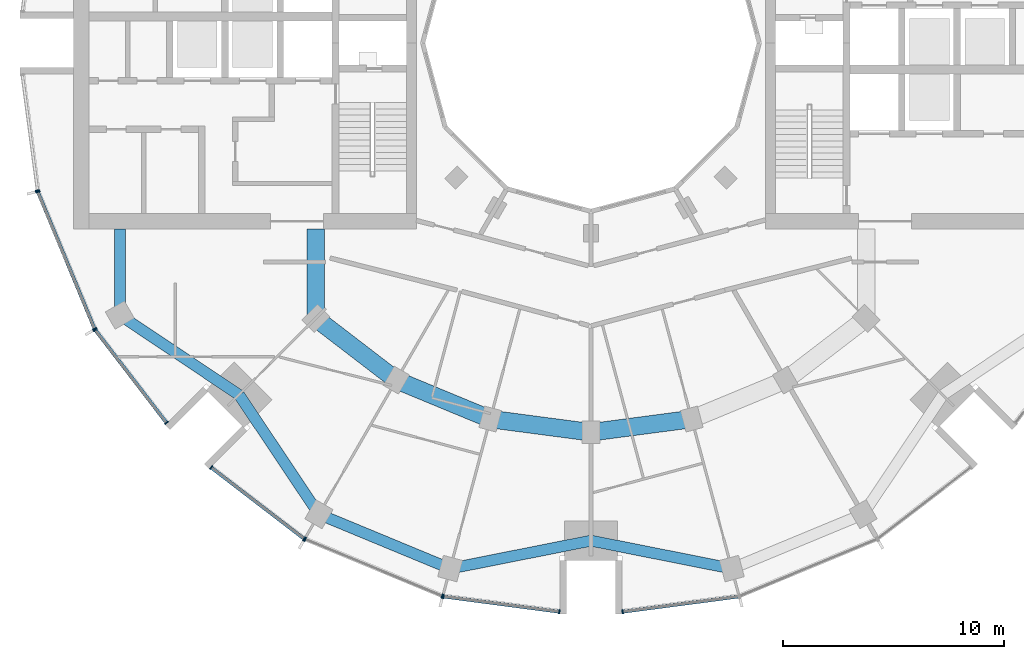
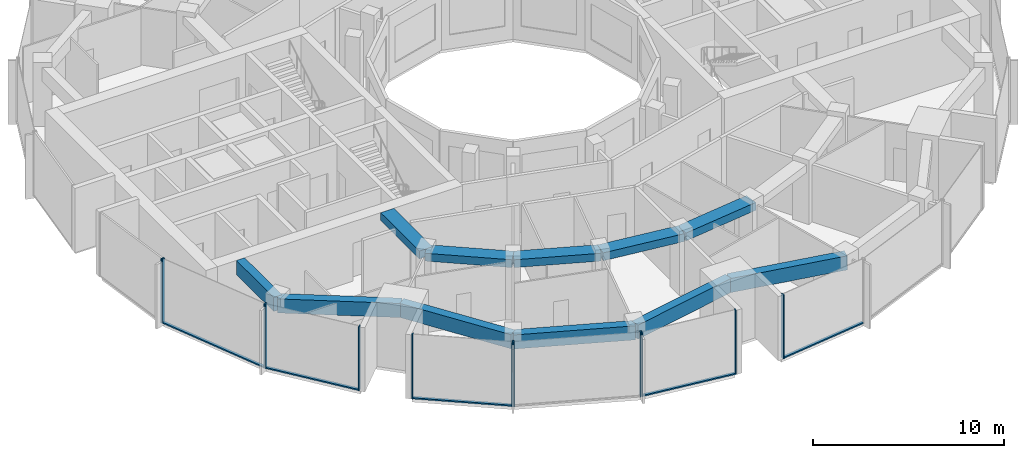
# One storey, part 2 of 15: 17 members, 11 beams, 7 elements without a shape of their own.
"""IFC4 building model written with IfcOpenShell, lengths in metres."""

from ifc_helpers import new_model, si_unit, direction, frame, origin, origin_2d, place, context, subcontext, project, spatial, rectangle, extrude, material, layer, layer_set, material_profile, profile_set, type_object, element, aggregate, save


model = new_model("IFC4")

# Units and contexts
model_context = context("Model", 3, precision=1e-05, world=origin(), true_north=direction((0.0, 1.0)))
body_context = subcontext(model_context, "Body", "Model", "MODEL_VIEW")
ifc_project = project(units=[si_unit("LENGTHUNIT", "METRE"), si_unit("AREAUNIT", "SQUARE_METRE"), si_unit("VOLUMEUNIT", "CUBIC_METRE"), si_unit("PLANEANGLEUNIT", "RADIAN"), si_unit("MASSUNIT", "GRAM", prefix="KILO")], contexts=[model_context])

# Site, building, storey
site_placement = place(None, origin())
site = spatial("IfcSite", under=ifc_project, at=site_placement, CompositionType="ELEMENT")
building_placement = place(site_placement, origin())
building = spatial("IfcBuilding", under=site, at=building_placement, Name="Torre Brocal", CompositionType="ELEMENT")
storey_placement = place(building_placement, frame((0.0, 0.0, 157.699951171875)))
storey = spatial("IfcBuildingStorey", under=building, at=storey_placement, Name="L36", CompositionType="ELEMENT", Elevation=157.699951171875)

# Curtain wall, members
ifc_material_1 = material(Name="Aluminium and glass", Category="aluminium")
ifc_layer_1 = layer(ifc_material_1, 0.199951171875)
ifc_layer_set_1 = layer_set([ifc_layer_1], Name="Aluminium and glass")
curtain_wall_type_1 = type_object("IfcCurtainWallType", Name="CW-1 CURTAIN WALL 4100 HIGH", PredefinedType="NOTDEFINED", material=ifc_layer_set_1)
curtain_wall_1_placement = place(storey_placement, origin())
curtain_wall_1 = element("IfcCurtainWall", 1, at=curtain_wall_1_placement, inside=storey, type_object=curtain_wall_type_1, Name="CW-1 RUN 14", PredefinedType="NOTDEFINED")
ifc_material_2 = material(Name="Aluminium, dark anodised", Category="aluminium")
ifc_material_profile_1 = material_profile(ifc_material_2, rectangle(XDim=0.199951171875, YDim=0.06005859375, at=origin_2d()), Name="CW-1 MULLION 60X200")
ifc_profile_set_1 = profile_set([ifc_material_profile_1], Name="Aluminium, dark anodised")
member_type_1 = type_object("IfcMemberType", Name="CW-1 MULLION 60X200", PredefinedType="MULLION", material=ifc_profile_set_1)
member_1_placement = place(storey_placement, frame((54.994873046875, 68.26904296875, 0.0), z_axis=(0.0, 0.0, 1.0), x_axis=(0.923879532525, 0.382683432333, 0.0)))
member_1 = element("IfcMember", 2, at=member_1_placement, type_object=member_type_1, Name="CW1-4 mullion 1", PredefinedType="MULLION", context=body_context, shape_type="SweptSolid", body=[
    extrude(rectangle(XDim=0.199951171875, YDim=0.06005859375, at=origin_2d()), origin(), (0.0, 0.0, 1.0), 4.10009765625),
])
member_2_placement = place(storey_placement, frame((57.559326171875, 62.078125, 0.0), z_axis=(0.0, 0.0, 1.0), x_axis=(0.923879532525, 0.382683432333, 0.0)))
member_2 = element("IfcMember", 3, at=member_2_placement, type_object=member_type_1, Name="CW1-4 mullion 2", PredefinedType="MULLION", context=body_context, shape_type="SweptSolid", body=[
    extrude(rectangle(XDim=0.199951171875, YDim=0.06005859375, at=origin_2d()), origin(), (0.0, 0.0, 1.0), 4.10009765625),
])

curtain_wall_2_placement = place(storey_placement, origin())
curtain_wall_2 = element("IfcCurtainWall", 4, at=curtain_wall_2_placement, inside=storey, type_object=curtain_wall_type_1, Name="CW-1 RUN 15", PredefinedType="NOTDEFINED")
member_3_placement = place(storey_placement, frame((57.5888671875, 62.026611328125, 0.0), z_axis=(0.0, 0.0, 1.0), x_axis=(0.793353340259, 0.60876142905, 0.0)))
member_3 = element("IfcMember", 5, at=member_3_placement, type_object=member_type_1, Name="CW1-4 mullion 1", PredefinedType="MULLION", context=body_context, shape_type="SweptSolid", body=[
    extrude(rectangle(XDim=0.199951171875, YDim=0.06005859375, at=origin_2d()), origin(), (0.0, 0.0, 1.0), 4.10009765625),
])
member_4_placement = place(storey_placement, frame((60.80859375, 57.83056640625, 0.0), z_axis=(0.0, 0.0, 1.0), x_axis=(0.793353340259, 0.60876142905, 0.0)))
member_4 = element("IfcMember", 6, at=member_4_placement, type_object=member_type_1, Name="CW1-4 mullion 2", PredefinedType="MULLION", context=body_context, shape_type="SweptSolid", body=[
    extrude(rectangle(XDim=0.199951171875, YDim=0.06005859375, at=origin_2d()), origin(), (0.0, 0.0, 1.0), 4.10009765625),
])

curtain_wall_3_placement = place(storey_placement, origin())
curtain_wall_3 = element("IfcCurtainWall", 7, at=curtain_wall_3_placement, inside=storey, type_object=curtain_wall_type_1, Name="CW-1 RUN 16", PredefinedType="NOTDEFINED")
member_5_placement = place(storey_placement, frame((62.83056640625, 55.80859375, 0.0), z_axis=(0.0, 0.0, 1.0), x_axis=(0.60876142905, 0.793353340259, 0.0)))
member_5 = element("IfcMember", 8, at=member_5_placement, type_object=member_type_1, Name="CW1-4 mullion 1", PredefinedType="MULLION", context=body_context, shape_type="SweptSolid", body=[
    extrude(rectangle(XDim=0.199951171875, YDim=0.06005859375, at=origin_2d()), origin(), (0.0, 0.0, 1.0), 4.10009765625),
])
member_6_placement = place(storey_placement, frame((67.026611328125, 52.5888671875, 0.0), z_axis=(0.0, 0.0, 1.0), x_axis=(0.60876142905, 0.793353340259, 0.0)))
member_6 = element("IfcMember", 9, at=member_6_placement, type_object=member_type_1, Name="CW1-4 mullion 2", PredefinedType="MULLION", context=body_context, shape_type="SweptSolid", body=[
    extrude(rectangle(XDim=0.199951171875, YDim=0.06005859375, at=origin_2d()), origin(), (0.0, 0.0, 1.0), 4.10009765625),
])

curtain_wall_4_placement = place(storey_placement, origin())
curtain_wall_4 = element("IfcCurtainWall", 10, at=curtain_wall_4_placement, inside=storey, type_object=curtain_wall_type_1, Name="CW-1 RUN 17", PredefinedType="NOTDEFINED")
member_7_placement = place(storey_placement, frame((67.078125, 52.559326171875, 0.0), z_axis=(0.0, 0.0, 1.0), x_axis=(0.382683432333, 0.923879532525, 0.0)))
member_7 = element("IfcMember", 11, at=member_7_placement, type_object=member_type_1, Name="CW1-4 mullion 1", PredefinedType="MULLION", context=body_context, shape_type="SweptSolid", body=[
    extrude(rectangle(XDim=0.199951171875, YDim=0.06005859375, at=origin_2d()), origin(), (0.0, 0.0, 1.0), 4.10009765625),
])
member_8_placement = place(storey_placement, frame((73.26904296875, 49.994873046875, 0.0), z_axis=(0.0, 0.0, 1.0), x_axis=(0.382683432333, 0.923879532525, 0.0)))
member_8 = element("IfcMember", 12, at=member_8_placement, type_object=member_type_1, Name="CW1-4 mullion 2", PredefinedType="MULLION", context=body_context, shape_type="SweptSolid", body=[
    extrude(rectangle(XDim=0.199951171875, YDim=0.06005859375, at=origin_2d()), origin(), (0.0, 0.0, 1.0), 4.10009765625),
])
aggregate(curtain_wall_4, [member_7, member_8])

curtain_wall_5_placement = place(storey_placement, origin())
curtain_wall_5 = element("IfcCurtainWall", 13, at=curtain_wall_5_placement, inside=storey, type_object=curtain_wall_type_1, Name="CW-1 RUN 18", PredefinedType="NOTDEFINED")
member_9_placement = place(storey_placement, frame((73.32666015625, 49.9794921875, 0.0), z_axis=(0.0, 0.0, 1.0), x_axis=(0.13052619222, 0.991444861374, 0.0)))
member_9 = element("IfcMember", 14, at=member_9_placement, type_object=member_type_1, Name="CW1-4 mullion 1", PredefinedType="MULLION", context=body_context, shape_type="SweptSolid", body=[
    extrude(rectangle(XDim=0.199951171875, YDim=0.06005859375, at=origin_2d()), origin(), (0.0, 0.0, 1.0), 4.10009765625),
])
member_10_placement = place(storey_placement, frame((78.5703125, 49.2890625, 0.0), z_axis=(0.0, 0.0, 1.0), x_axis=(0.13052619222, 0.991444861374, 0.0)))
member_10 = element("IfcMember", 15, at=member_10_placement, type_object=member_type_1, Name="CW1-4 mullion 2", PredefinedType="MULLION", context=body_context, shape_type="SweptSolid", body=[
    extrude(rectangle(XDim=0.199951171875, YDim=0.06005859375, at=origin_2d()), origin(), (0.0, 0.0, 1.0), 4.10009765625),
])

# Curtain wall, member
curtain_wall_6_placement = place(storey_placement, origin())
curtain_wall_6 = element("IfcCurtainWall", 16, at=curtain_wall_6_placement, inside=storey, type_object=curtain_wall_type_1, Name="CW-1 RUN 19", PredefinedType="NOTDEFINED")
member_11_placement = place(storey_placement, frame((81.4296875, 49.2890625, 0.0), z_axis=(0.0, 0.0, 1.0), x_axis=(-0.13052619222, 0.991444861374, 0.0)))
member_11 = element("IfcMember", 17, at=member_11_placement, type_object=member_type_1, Name="CW1-4 mullion 1", PredefinedType="MULLION", context=body_context, shape_type="SweptSolid", body=[
    extrude(rectangle(XDim=0.199951171875, YDim=0.06005859375, at=origin_2d()), origin(), (0.0, 0.0, 1.0), 4.10009765625),
])

# Member
ifc_material_3 = material(Name="Aluminium, dark anodised", Category="aluminium")
ifc_material_profile_2 = material_profile(ifc_material_3, rectangle(XDim=0.159912109375, YDim=0.080078125, at=origin_2d()), Name="CW-1 TRANSOM 160X80")
ifc_profile_set_2 = profile_set([ifc_material_profile_2], Name="Aluminium, dark anodised")
member_type_2 = type_object("IfcMemberType", Name="CW-1 TRANSOM 160X80", PredefinedType="USERDEFINED", material=ifc_profile_set_2)
member_12_placement = place(storey_placement, frame((55.00634765625, 68.241455078125, 0.0400390625), z_axis=(0.38266457234, -0.923887344364, 0.0), x_axis=(0.923887344364, 0.38266457234, 0.0)))
member_12 = element("IfcMember", 18, at=member_12_placement, type_object=member_type_2, Name="CW1-4 transom 1.1", ObjectType="TRANSOM", PredefinedType="USERDEFINED", context=body_context, shape_type="SweptSolid", body=[
    extrude(rectangle(XDim=0.159912109375, YDim=0.080078125, at=origin_2d()), origin(), (0.0, 0.0, 1.0), 6.640869140625),
])

aggregate(curtain_wall_1, [member_1, member_2, member_12])

member_13_placement = place(storey_placement, frame((57.607177734375, 62.0029296875, 0.0400390625), z_axis=(0.60874908096, -0.79336281513, 0.0), x_axis=(0.79336281513, 0.60874908096, 0.0)))
member_13 = element("IfcMember", 19, at=member_13_placement, type_object=member_type_2, Name="CW1-4 transom 1.1", ObjectType="TRANSOM", PredefinedType="USERDEFINED", context=body_context, shape_type="SweptSolid", body=[
    extrude(rectangle(XDim=0.159912109375, YDim=0.080078125, at=origin_2d()), origin(), (0.0, 0.0, 1.0), 5.22900390625),
])

aggregate(curtain_wall_2, [member_3, member_4, member_13])

member_14_placement = place(storey_placement, frame((62.8544921875, 55.790283203125, 0.0400390625), z_axis=(0.79336281513, -0.60874908096, 0.0), x_axis=(0.60874908096, 0.79336281513, 0.0)))
member_14 = element("IfcMember", 20, at=member_14_placement, type_object=member_type_2, Name="CW1-4 transom 1.1", ObjectType="TRANSOM", PredefinedType="USERDEFINED", context=body_context, shape_type="SweptSolid", body=[
    extrude(rectangle(XDim=0.159912109375, YDim=0.080078125, at=origin_2d()), origin(), (0.0, 0.0, 1.0), 5.22900390625),
])

aggregate(curtain_wall_3, [member_5, member_6, member_14])

member_15_placement = place(storey_placement, frame((73.356201171875, 49.9755859375, 0.0400390625), z_axis=(0.991442690863, -0.130542677827, 0.0), x_axis=(0.130542677827, 0.991442690863, 0.0)))
member_15 = element("IfcMember", 21, at=member_15_placement, type_object=member_type_2, Name="CW1-4 transom 1.1", ObjectType="TRANSOM", PredefinedType="USERDEFINED", context=body_context, shape_type="SweptSolid", body=[
    extrude(rectangle(XDim=0.159912109375, YDim=0.080078125, at=origin_2d()), origin(), (0.0, 0.0, 1.0), 5.22900390625),
])

aggregate(curtain_wall_5, [member_9, member_10, member_15])

member_16_placement = place(storey_placement, frame((81.45947265625, 49.29296875, 0.0400390625), z_axis=(0.991442690863, 0.130542677827, 0.0), x_axis=(-0.130542677827, 0.991442690863, 0.0)))
member_16 = element("IfcMember", 22, at=member_16_placement, type_object=member_type_2, Name="CW1-4 transom 1.1", ObjectType="TRANSOM", PredefinedType="USERDEFINED", context=body_context, shape_type="SweptSolid", body=[
    extrude(rectangle(XDim=0.159912109375, YDim=0.080078125, at=origin_2d()), origin(), (0.0, 0.0, 1.0), 5.22900390625),
])

aggregate(curtain_wall_6, [member_11, member_16])

# Curtain wall, member
ifc_material_4 = material(Name="Aluminium and glass", Category="aluminium")
ifc_layer_2 = layer(ifc_material_4, 0.199951171875)
ifc_layer_set_2 = layer_set([ifc_layer_2], Name="Aluminium and glass")
curtain_wall_type_2 = type_object("IfcCurtainWallType", Name="CW-1B CURTAIN WALL 4100 HIGH", PredefinedType="NOTDEFINED", material=ifc_layer_set_2)
curtain_wall_7_placement = place(storey_placement, origin())
curtain_wall_7 = element("IfcCurtainWall", 23, at=curtain_wall_7_placement, inside=storey, type_object=curtain_wall_type_2, Name="CW-1B RUN 13", PredefinedType="NOTDEFINED")
ifc_material_5 = material(Name="Aluminium, dark anodised", Category="aluminium")
ifc_material_profile_3 = material_profile(ifc_material_5, rectangle(XDim=0.199951171875, YDim=0.06005859375, at=origin_2d()), Name="CW-1B MULLION 60X200")
ifc_profile_set_3 = profile_set([ifc_material_profile_3], Name="Aluminium, dark anodised")
member_type_3 = type_object("IfcMemberType", Name="CW-1B MULLION 60X200", PredefinedType="MULLION", material=ifc_profile_set_3)
member_17_placement = place(storey_placement, frame((54.9794921875, 68.32666015625, 0.0), z_axis=(0.0, 0.0, 1.0), x_axis=(0.991444861374, 0.13052619222, 0.0)))
member_17 = element("IfcMember", 24, at=member_17_placement, type_object=member_type_3, Name="CW1B-4 mullion 2", PredefinedType="MULLION", context=body_context, shape_type="SweptSolid", body=[
    extrude(rectangle(XDim=0.199951171875, YDim=0.06005859375, at=origin_2d()), origin(), (0.0, 0.0, 1.0), 4.10009765625),
])
aggregate(curtain_wall_7, [member_17])

# Beams
ifc_material_6 = material(Name="Concrete C50", Category="concrete")
ifc_material_profile_4 = material_profile(ifc_material_6, rectangle(XDim=0.800048828125, YDim=0.5, at=origin_2d()), Name="RC 800X500")
ifc_profile_set_4 = profile_set([ifc_material_profile_4], Name="Concrete C50")
beam_type_1 = type_object("IfcBeamType", Name="RC BEAM 800X500 C50 TOP 3780", PredefinedType="BEAM", material=ifc_profile_set_4)
beam_1_placement = place(storey_placement, frame((67.554931640625, 62.554931640625, 3.530029296875), z_axis=(0.0, 1.0, 0.0), x_axis=(-1.0, 0.0, 0.0)))
element("IfcBeam", 25, at=beam_1_placement, inside=storey, type_object=beam_type_1, Name="Beam BT-32", PredefinedType="BEAM", context=body_context, shape_type="SweptSolid", body=[
    extrude(rectangle(XDim=0.800048828125, YDim=0.5, at=origin_2d()), origin(), (0.0, 0.0, 1.0), 4.045166015625),
])
beam_2_placement = place(storey_placement, frame((67.554931640625, 62.554931640625, 3.530029296875), z_axis=(0.793358265959, -0.6087550097, 0.0), x_axis=(0.6087550097, 0.793358265959, 0.0)))
element("IfcBeam", 26, at=beam_2_placement, inside=storey, type_object=beam_type_1, Name="Beam BT-32", PredefinedType="BEAM", context=body_context, shape_type="SweptSolid", body=[
    extrude(rectangle(XDim=0.800048828125, YDim=0.5, at=origin_2d()), origin(), (0.0, 0.0, 1.0), 4.594482421875),
])
beam_3_placement = place(storey_placement, frame((71.199951171875, 59.758056640625, 3.530029296875), z_axis=(0.923878240166, -0.382686552348, 0.0), x_axis=(0.382686552348, 0.923878240166, 0.0)))
element("IfcBeam", 27, at=beam_3_placement, inside=storey, type_object=beam_type_1, Name="Beam BT-32", PredefinedType="BEAM", context=body_context, shape_type="SweptSolid", body=[
    extrude(rectangle(XDim=0.800048828125, YDim=0.5, at=origin_2d()), origin(), (0.0, 0.0, 1.0), 4.5947265625),
])
for number, where, z_axis, x_axis, name in (
    (28, (75.44482421875, 57.999755859375, 3.530029296875), (0.991440544449, -0.130558978332, 0.0), (0.130558978332, 0.991440544449, 0.0), "Beam BT-32"),
    (29, (80.0, 57.39990234375, 3.530029296875), (0.991440544449, 0.130558978332, 0.0), (-0.130558978332, 0.991440544449, 0.0), "Beam BT-32"),
):
    element("IfcBeam", number, at=place(storey_placement, frame(where, z_axis=z_axis, x_axis=x_axis)), inside=storey, type_object=beam_type_1, Name=name, PredefinedType="BEAM", context=body_context, shape_type="SweptSolid", body=[
        extrude(rectangle(XDim=0.800048828125, YDim=0.5, at=origin_2d()), origin(), (0.0, 0.0, 1.0), 4.594482421875),
    ])
ifc_material_7 = material(Name="Concrete C50", Category="concrete")
ifc_material_profile_5 = material_profile(ifc_material_7, rectangle(XDim=0.5, YDim=0.89990234375, at=origin_2d()), Name="RC 500X900")
ifc_profile_set_5 = profile_set([ifc_material_profile_5], Name="Concrete C50")
beam_type_2 = type_object("IfcBeamType", Name="RC SPANDREL BEAM 500X900 C50 TOP 3780", PredefinedType="SPANDREL", material=ifc_profile_set_5)
beam_4_placement = place(storey_placement, frame((58.69580078125, 62.699951171875, 3.330078125), z_axis=(0.0, 1.0, 0.0), x_axis=(-1.0, 0.0, 0.0)))
element("IfcBeam", 30, at=beam_4_placement, inside=storey, type_object=beam_type_2, Name="Beam BT-33", PredefinedType="SPANDREL", context=body_context, shape_type="SweptSolid", body=[
    extrude(rectangle(XDim=0.5, YDim=0.89990234375, at=origin_2d()), origin(), (0.0, 0.0, 1.0), 3.900146484375),
])
for number, where, z_axis, x_axis, name in (
    (31, (58.69580078125, 62.699951171875, 3.330078125), (0.831076844476, -0.556157602282, 0.0), (0.556157602282, 0.831076844476, 0.0), "Beam BT-33"),
    (32, (64.090087890625, 59.090087890625, 3.330078125), (0.556157602282, -0.831076844476, 0.0), (0.831076844476, 0.556157602282, 0.0), "Beam BT-33"),
):
    element("IfcBeam", number, at=place(storey_placement, frame(where, z_axis=z_axis, x_axis=x_axis)), inside=storey, type_object=beam_type_2, Name=name, PredefinedType="SPANDREL", context=body_context, shape_type="SweptSolid", body=[
        extrude(rectangle(XDim=0.5, YDim=0.89990234375, at=origin_2d()), origin(), (0.0, 0.0, 1.0), 6.49072265625),
    ])
beam_5_placement = place(storey_placement, frame((67.699951171875, 53.69580078125, 3.330078125), z_axis=(0.923882462513, -0.382676358639, 0.0), x_axis=(0.382676358639, 0.923882462513, 0.0)))
element("IfcBeam", 33, at=beam_5_placement, inside=storey, type_object=beam_type_2, Name="Beam BT-33", PredefinedType="SPANDREL", context=body_context, shape_type="SweptSolid", body=[
    extrude(rectangle(XDim=0.5, YDim=0.89990234375, at=origin_2d()), origin(), (0.0, 0.0, 1.0), 6.421875),
])
for number, where, z_axis, x_axis, name in (
    (34, (73.633056640625, 51.23828125, 3.330078125), (0.980924907484, 0.194387051723, 0.0), (-0.194387051723, 0.980924907484, 0.0), "Beam BT-33"),
    (35, (80.0, 52.5, 3.330078125), (0.980924907484, -0.194387051723, 0.0), (0.194387051723, 0.980924907484, 0.0), "Beam BT-33"),
):
    element("IfcBeam", number, at=place(storey_placement, frame(where, z_axis=z_axis, x_axis=x_axis)), inside=storey, type_object=beam_type_2, Name=name, PredefinedType="SPANDREL", context=body_context, shape_type="SweptSolid", body=[
        extrude(rectangle(XDim=0.5, YDim=0.89990234375, at=origin_2d()), origin(), (0.0, 0.0, 1.0), 6.49072265625),
    ])

save(model, "model.ifc")
